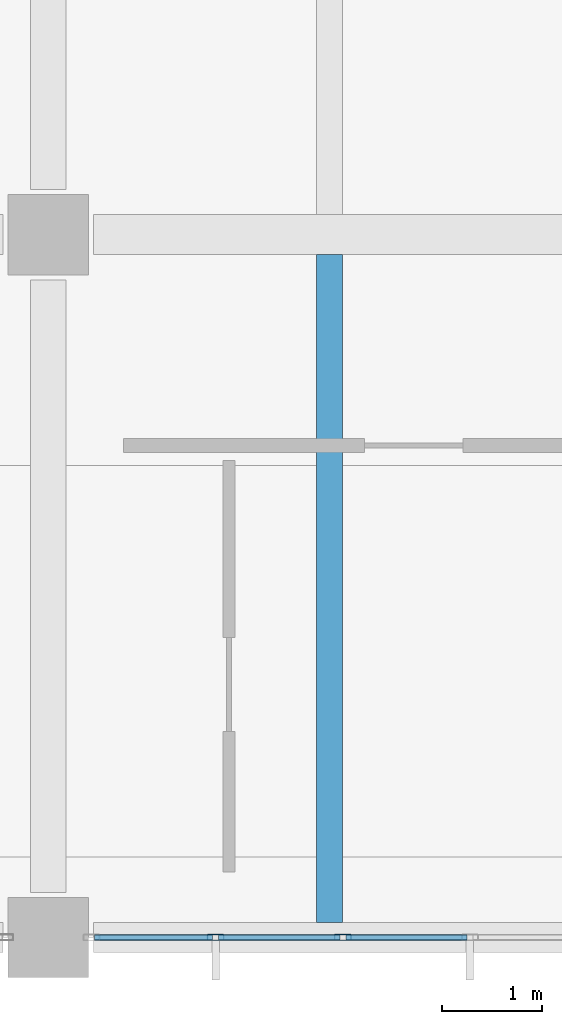
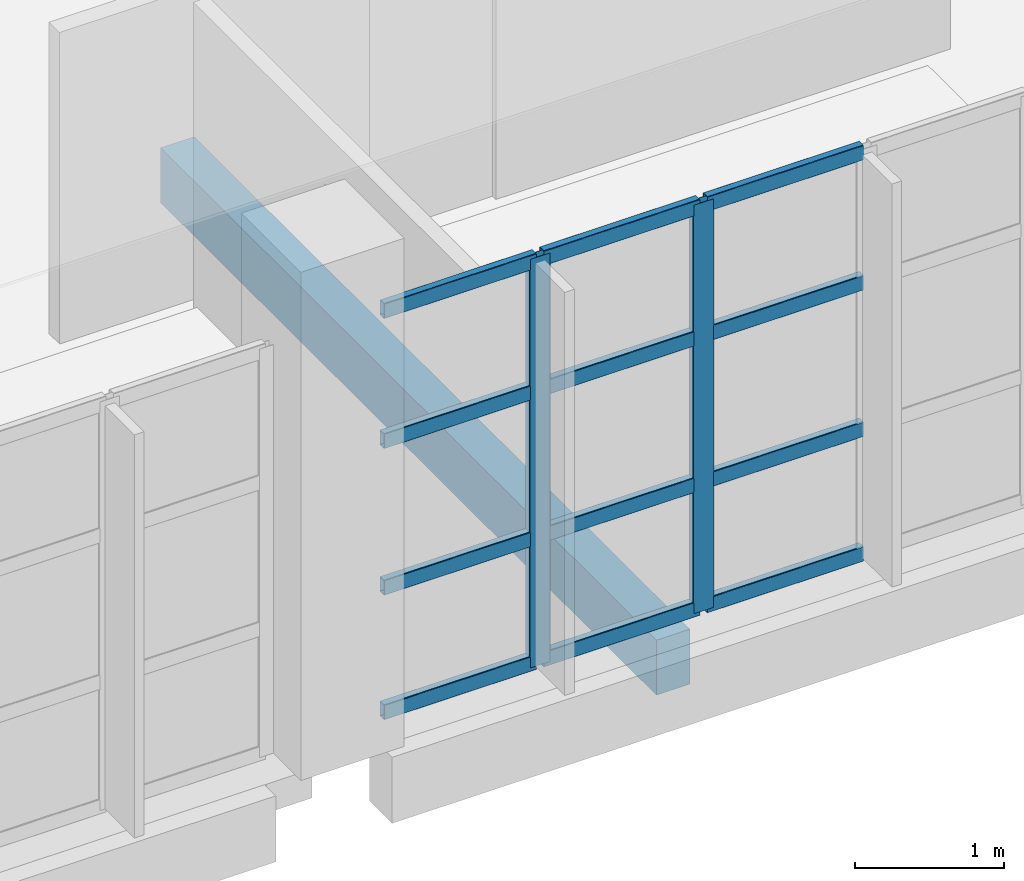
# One storey, part 40 of 177: 14 members, 1 beam, 1 element without a shape of its own.
"""IFC4 building model written with IfcOpenShell, lengths in metres."""

import ifcopenshell
import ifcopenshell.guid

model = None  # the IFC model being written
_history = None  # IfcOwnerHistory: only IFC2X3 demands one
_inside = {}  # id of a spatial element -> (the spatial element, [elements in it])
_under = {}  # id of a project, library or spatial element -> (it, [spatial elements below it])
_declared = {}  # id of a project -> (the project, [libraries it declares])
_typed = {}  # id of a type object -> (the type object, [elements of that type])
_made_of = {}  # id of a material, layer set ... -> (it, [elements and type objects made of it])


def new_model(schema):
    """Start an empty IFC model of exactly this schema.

    Asked for "IFC4X3", IfcOpenShell would pick the latest addendum, in which some entities
    have other attributes; the version numbers below select the first issue.
    IFC2X3 requires an IfcOwnerHistory on every rooted entity: one is made here for all.
    """
    global model, _history
    if schema == "IFC4X3":
        model = ifcopenshell.file(schema_version=(4, 3, 0, 0))
    else:
        model = ifcopenshell.file(schema=schema)
    _inside.clear()
    _under.clear()
    _declared.clear()
    _typed.clear()
    _made_of.clear()
    _history = None
    if model.schema == "IFC2X3":
        org = make("IfcOrganization", Name="unknown")
        user = make(
            "IfcPersonAndOrganization",
            ThePerson=make("IfcPerson", FamilyName="unknown"),
            TheOrganization=org,
        )
        app = make(
            "IfcApplication",
            ApplicationDeveloper=org,
            Version="unknown",
            ApplicationFullName="unknown",
            ApplicationIdentifier="unknown",
        )
        _history = make(
            "IfcOwnerHistory",
            OwningUser=user,
            OwningApplication=app,
            ChangeAction="ADDED",
            CreationDate=0,
        )
    return model


def make(cls, **values):
    """One entity of the class cls with the attributes given. An attribute that is None is left unset."""
    return model.create_entity(
        cls, **{name: value for name, value in values.items() if value is not None}
    )


def rooted(cls, **values):
    """An entity with a GlobalId (a new one), such as an element, a storey or a relation."""
    return make(cls, GlobalId=ifcopenshell.guid.new(), OwnerHistory=_history, **values)


def si_unit(unit_type, name, prefix=None):
    """IfcSIUnit, for example si_unit("LENGTHUNIT", "METRE", prefix="MILLI")."""
    return make("IfcSIUnit", UnitType=unit_type, Prefix=prefix, Name=name)


def assignment(units):
    """IfcUnitAssignment: the units of a project."""
    return None if units is None else make("IfcUnitAssignment", Units=units)


def point(xyz):
    """IfcCartesianPoint."""
    return None if xyz is None else make("IfcCartesianPoint", Coordinates=xyz)


def direction(xyz):
    """IfcDirection."""
    return None if xyz is None else make("IfcDirection", DirectionRatios=xyz)


def frame(location, z_axis=None, x_axis=None):
    """IfcAxis2Placement3D, a coordinate frame: its origin and axes. An axis left out is left unset."""
    return make(
        "IfcAxis2Placement3D",
        Location=point(location),
        Axis=direction(z_axis),
        RefDirection=direction(x_axis),
    )


def frame_2d(location, x_axis=None):
    """IfcAxis2Placement2D, a coordinate frame in the plane: its origin and x axis."""
    return make(
        "IfcAxis2Placement2D", Location=point(location), RefDirection=direction(x_axis)
    )


def origin():
    """The frame at (0, 0, 0) with its axes left unset."""
    return frame((0.0, 0.0, 0.0))


def origin_2d():
    """The frame at (0, 0) in the plane with its x axis left unset."""
    return frame_2d((0.0, 0.0))


def place(relative_to, where):
    """IfcLocalPlacement: puts the frame where relative to a parent placement (None: the world)."""
    return make(
        "IfcLocalPlacement", PlacementRelTo=relative_to, RelativePlacement=where
    )


def context(
    kind, dimensions, precision=None, world=None, true_north=None, identifier=None
):
    """IfcGeometricRepresentationContext, for example the 3D "Model" context."""
    return make(
        "IfcGeometricRepresentationContext",
        ContextIdentifier=identifier,
        ContextType=kind,
        CoordinateSpaceDimension=dimensions,
        Precision=precision,
        WorldCoordinateSystem=world,
        TrueNorth=true_north,
    )


def subcontext(parent, identifier, kind, view, scale=None):
    """IfcGeometricRepresentationSubContext, for example "Body" below "Model"."""
    return make(
        "IfcGeometricRepresentationSubContext",
        ContextIdentifier=identifier,
        ContextType=kind,
        ParentContext=parent,
        TargetScale=scale,
        TargetView=view,
    )


def project(units=None, contexts=None):
    """IfcProject with its units and contexts."""
    return rooted(
        "IfcProject",
        Name="project",
        RepresentationContexts=contexts,
        UnitsInContext=assignment(units),
    )


def spatial(cls, under=None, at=None, **own):
    """A site, building, storey or space (cls), placed at a placement, below another one or the project."""
    s = rooted(cls, ObjectPlacement=at, **own)
    if under is not None:
        _under.setdefault(under.id(), (under, []))[1].append(s)
    return s


def profile(cls, at=None, kind="AREA", **sizes):
    """A parametric profile (cls). Its sizes go by their IFC names, for example OverallWidth=200.0."""
    return make(cls, ProfileType=kind, Position=at, **sizes)


def rectangle(**sizes):
    """IfcRectangleProfileDef."""
    return profile("IfcRectangleProfileDef", **sizes)


def hollow_rectangle(**sizes):
    """IfcRectangleHollowProfileDef."""
    return profile("IfcRectangleHollowProfileDef", **sizes)


def extrude(swept, where, along, depth):
    """IfcExtrudedAreaSolid: the profile swept, set in the frame where, extruded along a direction by depth."""
    return make(
        "IfcExtrudedAreaSolid",
        SweptArea=swept,
        Position=where,
        ExtrudedDirection=direction(along),
        Depth=depth,
    )


def shape(context_of_items, identifier, shape_type, items):
    """IfcShapeRepresentation: the items that make up one representation, for example the "Body"."""
    return make(
        "IfcShapeRepresentation",
        ContextOfItems=context_of_items,
        RepresentationIdentifier=identifier,
        RepresentationType=shape_type,
        Items=items,
    )


def material(Name=None, Category=None):
    """IfcMaterial."""
    return make("IfcMaterial", Name=Name, Category=Category)


def layer(
    of_material, thickness, ventilated=None, Name=None, Category=None, Priority=None
):
    """IfcMaterialLayer: one layer of a wall or slab, of a material (None: an air gap)."""
    return make(
        "IfcMaterialLayer",
        Material=of_material,
        LayerThickness=thickness,
        IsVentilated=ventilated,
        Name=Name,
        Category=Category,
        Priority=Priority,
    )


def layer_set(layers, Name=None):
    """IfcMaterialLayerSet."""
    return make("IfcMaterialLayerSet", MaterialLayers=layers, LayerSetName=Name)


def material_profile(
    of_material, cross_section, Name=None, Category=None, Priority=None
):
    """IfcMaterialProfile: a cross section and its material."""
    return make(
        "IfcMaterialProfile",
        Name=Name,
        Material=of_material,
        Profile=cross_section,
        Priority=Priority,
        Category=Category,
    )


def profile_set(profiles, Name=None, composite=None):
    """IfcMaterialProfileSet."""
    return make(
        "IfcMaterialProfileSet",
        Name=Name,
        MaterialProfiles=profiles,
        CompositeProfile=composite,
    )


def made_of(thing, what):
    """Note that an element or type object is made of a material, layer set ...; save() writes the relation."""
    if what is not None:
        _made_of.setdefault(what.id(), (what, []))[1].append(thing)
    return thing


def type_object(cls, material=None, **own):
    """A type object (cls), such as IfcWallType, which elements share."""
    return made_of(rooted(cls, **own), material)


def element(
    cls,
    number,
    at=None,
    inside=None,
    cuts=None,
    type_object=None,
    material=None,
    context=None,
    identifier="Body",
    shape_type=None,
    held_by="IfcProductDefinitionShape",
    body=None,
    shapes=None,
    **own,
):
    """One element of the class cls, such as IfcWall. Its Tag is "e" and its number.

    at: its placement. inside: the storey or other place that contains it. cuts: it is an
    opening in that element (IfcRelVoidsElement). A single representation is given by context,
    identifier, shape_type and body (its items); several are given by shapes. held_by: the class
    of the entity that holds the representations. save() writes the other relations.
    """
    e = rooted(cls, Tag="e%d" % number, ObjectPlacement=at, **own)
    if body is not None:
        shapes = [shape(context, identifier, shape_type, body)]
    if shapes is not None:
        e.Representation = make(held_by, Representations=shapes)
    if inside is not None:
        _inside.setdefault(inside.id(), (inside, []))[1].append(e)
    if cuts is not None:
        rooted(
            "IfcRelVoidsElement", RelatingBuildingElement=cuts, RelatedOpeningElement=e
        )
    if type_object is not None:
        _typed.setdefault(type_object.id(), (type_object, []))[1].append(e)
    return made_of(e, material)


def aggregate(whole, parts):
    """IfcRelAggregates: a whole, such as a stair, and the parts it consists of."""
    return rooted("IfcRelAggregates", RelatingObject=whole, RelatedObjects=parts)


def save(model, path):
    """Write the relations noted so far, then the file.

    IfcRelAggregates (storeys below a building ...), IfcRelContainedInSpatialStructure (elements
    in a storey), IfcRelDefinesByType, IfcRelAssociatesMaterial and IfcRelDeclares: one each for
    every whole, place, type object, material and project.
    """
    for whole, parts in _under.values():
        aggregate(whole, parts)
    for where, things in _inside.values():
        rooted(
            "IfcRelContainedInSpatialStructure",
            RelatedElements=things,
            RelatingStructure=where,
        )
    for kind, things in _typed.values():
        rooted("IfcRelDefinesByType", RelatedObjects=things, RelatingType=kind)
    for what, things in _made_of.values():
        rooted("IfcRelAssociatesMaterial", RelatedObjects=things, RelatingMaterial=what)
    for by, libraries in _declared.values():
        rooted("IfcRelDeclares", RelatingContext=by, RelatedDefinitions=libraries)
    model.write(path)


model = new_model("IFC4")

# Units and contexts
model_context = context("Model", 3, precision=1e-05, world=origin(), true_north=direction((0.0, 1.0)))
body_context = subcontext(model_context, "Body", "Model", "MODEL_VIEW")
ifc_project = project(units=[si_unit("LENGTHUNIT", "METRE"), si_unit("AREAUNIT", "SQUARE_METRE"), si_unit("VOLUMEUNIT", "CUBIC_METRE"), si_unit("PLANEANGLEUNIT", "RADIAN"), si_unit("MASSUNIT", "GRAM", prefix="KILO"), si_unit("THERMODYNAMICTEMPERATUREUNIT", "KELVIN"), si_unit("POWERUNIT", "WATT")], contexts=[model_context])

# Site, building, storey
site_placement = place(None, origin())
site = spatial("IfcSite", under=ifc_project, at=site_placement, CompositionType="ELEMENT")
building_placement = place(site_placement, origin())
building = spatial("IfcBuilding", under=site, at=building_placement, Name="Mavoryth Pier Ferry Terminal", CompositionType="ELEMENT")
storey_placement = place(building_placement, frame((0.0, 0.0, 5.43994140625)))
storey = spatial("IfcBuildingStorey", under=building, at=storey_placement, Name="L01", CompositionType="ELEMENT", Elevation=5.43994140625)

# Beam
ifc_material_1 = material(Name="Concrete C35/45", Category="concrete")
ifc_material_profile_1 = material_profile(ifc_material_1, rectangle(XDim=0.260009765625, YDim=0.449951171875, at=origin_2d()), Name="RC 260x450", Category="concrete")
ifc_profile_set_1 = profile_set([ifc_material_profile_1], Name="Concrete C35/45 - RC 260x450")
beam_type = type_object("IfcBeamType", Name="Joist-RC-260x450", PredefinedType="JOIST", material=ifc_profile_set_1)
beam_placement = place(storey_placement, frame((78.39990234375, 0.14990234375, -0.48486328125), z_axis=(0.0, 1.0, 0.0), x_axis=(-1.0, 0.0, 0.0)))
element("IfcBeam", 1, at=beam_placement, inside=storey, type_object=beam_type, Name="Beam B01-BJ03-0575", PredefinedType="JOIST", context=body_context, shape_type="SweptSolid", body=[
    extrude(rectangle(XDim=0.260009765625, YDim=0.449951171875, at=origin_2d()), origin(), (0.0, 0.0, 1.0), 6.650146484375),
])

# Curtain wall, members
ifc_material_2 = material(Name="Anodised Aluminium and Solar-Control Low-E Glass", Category="aluminium")
ifc_layer = layer(ifc_material_2, 0.239990234375, Name="Anodised Aluminium and Solar-Control Low-E Glass", Category="aluminium")
ifc_layer_set = layer_set([ifc_layer], Name="Anodised Aluminium and Solar-Control Low-E Glass - CW-Operations-Mod1200")
curtain_wall_type = type_object("IfcCurtainWallType", Name="CW-Operations-Mod1200", PredefinedType="USERDEFINED", material=ifc_layer_set)
curtain_wall_placement = place(storey_placement, origin())
curtain_wall = element("IfcCurtainWall", 2, at=curtain_wall_placement, inside=storey, type_object=curtain_wall_type, Name="Curtain Wall CW-0122-116", ObjectType="UNITISED CURTAIN WALL", PredefinedType="USERDEFINED")
ifc_material_3 = material(Name="Anodised Aluminium EN AW-6063", Category="aluminium")
ifc_material_profile_2 = material_profile(ifc_material_3, hollow_rectangle(XDim=0.06005859375, YDim=0.1650390625, WallThickness=0.00390625, InnerFilletRadius=0.00390625, OuterFilletRadius=0.008056640625, at=origin_2d()), Name="AL-MULL 165x60x4", Category="aluminium")
ifc_profile_set_2 = profile_set([ifc_material_profile_2], Name="Anodised Aluminium EN AW-6063 - AL-MULL 165x60x4")
member_type_1 = type_object("IfcMemberType", Name="Mullion-Alum-165x60", PredefinedType="MULLION", material=ifc_profile_set_2)
member_1_placement = place(storey_placement, frame((77.2666015625, 0.0, 0.0), z_axis=(0.0, 0.0, 1.0), x_axis=(0.0, 1.0, 0.0)))
member_1 = element("IfcMember", 3, at=member_1_placement, type_object=member_type_1, Name="CW06 mullion 2", PredefinedType="MULLION", context=body_context, shape_type="SweptSolid", body=[
    extrude(hollow_rectangle(XDim=0.06005859375, YDim=0.1650390625, WallThickness=0.00390625, InnerFilletRadius=0.00390625, OuterFilletRadius=0.008056640625, at=origin_2d()), origin(), (0.0, 0.0, 1.0), 3.344970703125),
])
member_2_placement = place(storey_placement, frame((78.533447265625, 0.0, 0.0), z_axis=(0.0, 0.0, 1.0), x_axis=(0.0, 1.0, 0.0)))
member_2 = element("IfcMember", 4, at=member_2_placement, type_object=member_type_1, Name="CW06 mullion 3", PredefinedType="MULLION", context=body_context, shape_type="SweptSolid", body=[
    extrude(hollow_rectangle(XDim=0.06005859375, YDim=0.1650390625, WallThickness=0.00390625, InnerFilletRadius=0.00390625, OuterFilletRadius=0.008056640625, at=origin_2d()), origin(), (0.0, 0.0, 1.0), 3.344970703125),
])
ifc_material_profile_3 = material_profile(ifc_material_3, hollow_rectangle(XDim=0.06005859375, YDim=0.125, WallThickness=0.00390625, InnerFilletRadius=0.00390625, OuterFilletRadius=0.008056640625, at=origin_2d()), Name="AL-TRAN 125x60x4", Category="aluminium")
ifc_profile_set_3 = profile_set([ifc_material_profile_3], Name="Anodised Aluminium EN AW-6063 - AL-TRAN 125x60x4")
member_type_2 = type_object("IfcMemberType", Name="Transom-Alum-125x60", PredefinedType="USERDEFINED", material=ifc_profile_set_3)
member_3_placement = place(storey_placement, frame((76.06005859375, 0.0, 0.030029296875), z_axis=(1.0, 0.0, 0.0), x_axis=(0.0, 1.0, 0.0)))
member_3 = element("IfcMember", 5, at=member_3_placement, type_object=member_type_2, Name="CW06 transom 1.1", ObjectType="TRANSOM", PredefinedType="USERDEFINED", context=body_context, shape_type="SweptSolid", body=[
    extrude(hollow_rectangle(XDim=0.06005859375, YDim=0.125, WallThickness=0.00390625, InnerFilletRadius=0.00390625, OuterFilletRadius=0.008056640625, at=origin_2d()), origin(), (0.0, 0.0, 1.0), 1.176513671875),
])
member_4_placement = place(storey_placement, frame((76.06005859375, 0.0, 1.050048828125), z_axis=(1.0, 0.0, 0.0), x_axis=(0.0, 1.0, 0.0)))
member_4 = element("IfcMember", 6, at=member_4_placement, type_object=member_type_2, Name="CW06 transom 1.2", ObjectType="TRANSOM", PredefinedType="USERDEFINED", context=body_context, shape_type="SweptSolid", body=[
    extrude(hollow_rectangle(XDim=0.06005859375, YDim=0.125, WallThickness=0.00390625, InnerFilletRadius=0.00390625, OuterFilletRadius=0.008056640625, at=origin_2d()), origin(), (0.0, 0.0, 1.0), 1.176513671875),
])
member_5_placement = place(storey_placement, frame((76.06005859375, 0.0, 2.25), z_axis=(1.0, 0.0, 0.0), x_axis=(0.0, 1.0, 0.0)))
member_5 = element("IfcMember", 7, at=member_5_placement, type_object=member_type_2, Name="CW06 transom 1.3", ObjectType="TRANSOM", PredefinedType="USERDEFINED", context=body_context, shape_type="SweptSolid", body=[
    extrude(hollow_rectangle(XDim=0.06005859375, YDim=0.125, WallThickness=0.00390625, InnerFilletRadius=0.00390625, OuterFilletRadius=0.008056640625, at=origin_2d()), origin(), (0.0, 0.0, 1.0), 1.176513671875),
])
member_6_placement = place(storey_placement, frame((76.06005859375, 0.0, 3.31494140625), z_axis=(1.0, 0.0, 0.0), x_axis=(0.0, 1.0, 0.0)))
member_6 = element("IfcMember", 8, at=member_6_placement, type_object=member_type_2, Name="CW06 transom 1.4", ObjectType="TRANSOM", PredefinedType="USERDEFINED", context=body_context, shape_type="SweptSolid", body=[
    extrude(hollow_rectangle(XDim=0.06005859375, YDim=0.125, WallThickness=0.00390625, InnerFilletRadius=0.00390625, OuterFilletRadius=0.008056640625, at=origin_2d()), origin(), (0.0, 0.0, 1.0), 1.176513671875),
])
member_7_placement = place(storey_placement, frame((77.296630859375, 0.0, 0.030029296875), z_axis=(1.0, 0.0, 0.0), x_axis=(0.0, 1.0, 0.0)))
member_7 = element("IfcMember", 9, at=member_7_placement, type_object=member_type_2, Name="CW06 transom 2.1", ObjectType="TRANSOM", PredefinedType="USERDEFINED", context=body_context, shape_type="SweptSolid", body=[
    extrude(hollow_rectangle(XDim=0.06005859375, YDim=0.125, WallThickness=0.00390625, InnerFilletRadius=0.00390625, OuterFilletRadius=0.008056640625, at=origin_2d()), origin(), (0.0, 0.0, 1.0), 1.206787109375),
])
member_8_placement = place(storey_placement, frame((77.296630859375, 0.0, 1.050048828125), z_axis=(1.0, 0.0, 0.0), x_axis=(0.0, 1.0, 0.0)))
member_8 = element("IfcMember", 10, at=member_8_placement, type_object=member_type_2, Name="CW06 transom 2.2", ObjectType="TRANSOM", PredefinedType="USERDEFINED", context=body_context, shape_type="SweptSolid", body=[
    extrude(hollow_rectangle(XDim=0.06005859375, YDim=0.125, WallThickness=0.00390625, InnerFilletRadius=0.00390625, OuterFilletRadius=0.008056640625, at=origin_2d()), origin(), (0.0, 0.0, 1.0), 1.206787109375),
])
member_9_placement = place(storey_placement, frame((77.296630859375, 0.0, 2.25), z_axis=(1.0, 0.0, 0.0), x_axis=(0.0, 1.0, 0.0)))
member_9 = element("IfcMember", 11, at=member_9_placement, type_object=member_type_2, Name="CW06 transom 2.3", ObjectType="TRANSOM", PredefinedType="USERDEFINED", context=body_context, shape_type="SweptSolid", body=[
    extrude(hollow_rectangle(XDim=0.06005859375, YDim=0.125, WallThickness=0.00390625, InnerFilletRadius=0.00390625, OuterFilletRadius=0.008056640625, at=origin_2d()), origin(), (0.0, 0.0, 1.0), 1.206787109375),
])
member_10_placement = place(storey_placement, frame((77.296630859375, 0.0, 3.31494140625), z_axis=(1.0, 0.0, 0.0), x_axis=(0.0, 1.0, 0.0)))
member_10 = element("IfcMember", 12, at=member_10_placement, type_object=member_type_2, Name="CW06 transom 2.4", ObjectType="TRANSOM", PredefinedType="USERDEFINED", context=body_context, shape_type="SweptSolid", body=[
    extrude(hollow_rectangle(XDim=0.06005859375, YDim=0.125, WallThickness=0.00390625, InnerFilletRadius=0.00390625, OuterFilletRadius=0.008056640625, at=origin_2d()), origin(), (0.0, 0.0, 1.0), 1.206787109375),
])
member_11_placement = place(storey_placement, frame((78.563232421875, 0.0, 0.030029296875), z_axis=(1.0, 0.0, 0.0), x_axis=(0.0, 1.0, 0.0)))
member_11 = element("IfcMember", 13, at=member_11_placement, type_object=member_type_2, Name="CW06 transom 3.1", ObjectType="TRANSOM", PredefinedType="USERDEFINED", context=body_context, shape_type="SweptSolid", body=[
    extrude(hollow_rectangle(XDim=0.06005859375, YDim=0.125, WallThickness=0.00390625, InnerFilletRadius=0.00390625, OuterFilletRadius=0.008056640625, at=origin_2d()), origin(), (0.0, 0.0, 1.0), 1.206787109375),
])
member_12_placement = place(storey_placement, frame((78.563232421875, 0.0, 1.050048828125), z_axis=(1.0, 0.0, 0.0), x_axis=(0.0, 1.0, 0.0)))
member_12 = element("IfcMember", 14, at=member_12_placement, type_object=member_type_2, Name="CW06 transom 3.2", ObjectType="TRANSOM", PredefinedType="USERDEFINED", context=body_context, shape_type="SweptSolid", body=[
    extrude(hollow_rectangle(XDim=0.06005859375, YDim=0.125, WallThickness=0.00390625, InnerFilletRadius=0.00390625, OuterFilletRadius=0.008056640625, at=origin_2d()), origin(), (0.0, 0.0, 1.0), 1.206787109375),
])
member_13_placement = place(storey_placement, frame((78.563232421875, 0.0, 2.25), z_axis=(1.0, 0.0, 0.0), x_axis=(0.0, 1.0, 0.0)))
member_13 = element("IfcMember", 15, at=member_13_placement, type_object=member_type_2, Name="CW06 transom 3.3", ObjectType="TRANSOM", PredefinedType="USERDEFINED", context=body_context, shape_type="SweptSolid", body=[
    extrude(hollow_rectangle(XDim=0.06005859375, YDim=0.125, WallThickness=0.00390625, InnerFilletRadius=0.00390625, OuterFilletRadius=0.008056640625, at=origin_2d()), origin(), (0.0, 0.0, 1.0), 1.206787109375),
])
member_14_placement = place(storey_placement, frame((78.563232421875, 0.0, 3.31494140625), z_axis=(1.0, 0.0, 0.0), x_axis=(0.0, 1.0, 0.0)))
member_14 = element("IfcMember", 16, at=member_14_placement, type_object=member_type_2, Name="CW06 transom 3.4", ObjectType="TRANSOM", PredefinedType="USERDEFINED", context=body_context, shape_type="SweptSolid", body=[
    extrude(hollow_rectangle(XDim=0.06005859375, YDim=0.125, WallThickness=0.00390625, InnerFilletRadius=0.00390625, OuterFilletRadius=0.008056640625, at=origin_2d()), origin(), (0.0, 0.0, 1.0), 1.206787109375),
])
aggregate(curtain_wall, [member_1, member_2, member_3, member_4, member_5, member_6, member_7, member_8, member_9, member_10, member_11, member_12, member_13, member_14])

save(model, "model.ifc")
